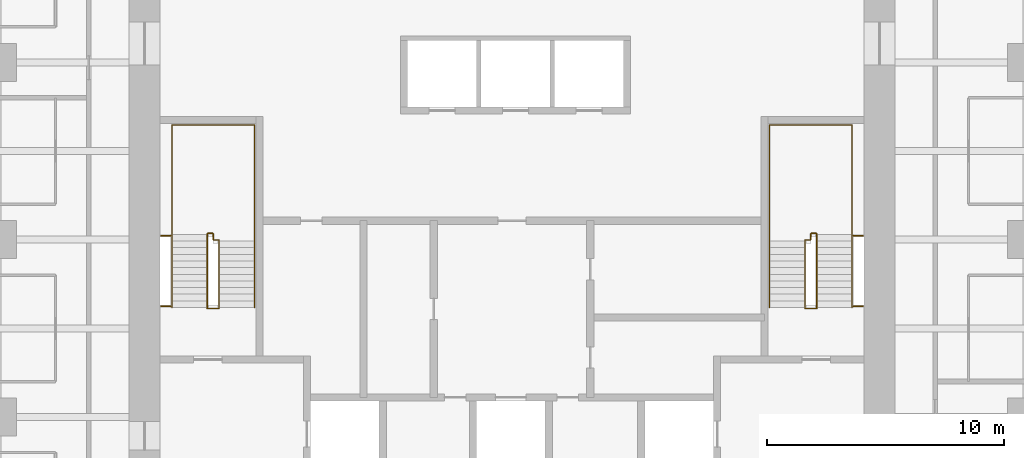
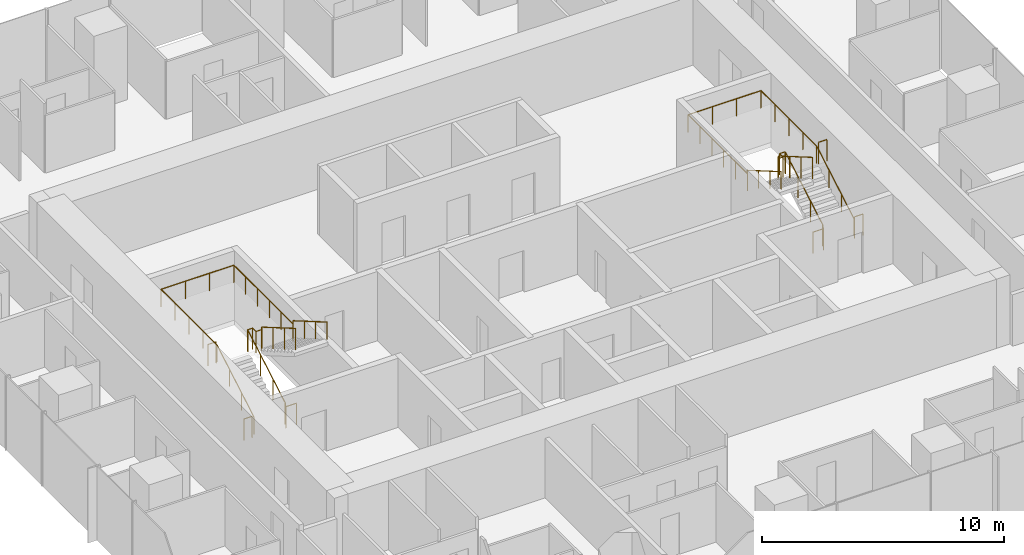
# One storey, part 12 of 12: 8 railings.
"""IFC4 building model written with IfcOpenShell, lengths in metres."""

from ifc_helpers import new_model, si_unit, direction, frame, origin, origin_2d, place, context, subcontext, project, spatial, circle, extrude, material, type_object, element, save


model = new_model("IFC4")

# Units and contexts
model_context = context("Model", 3, precision=1e-05, world=origin(), true_north=direction((0.0, 1.0)))
body_context = subcontext(model_context, "Body", "Model", "MODEL_VIEW")
ifc_project = project(units=[si_unit("LENGTHUNIT", "METRE"), si_unit("AREAUNIT", "SQUARE_METRE"), si_unit("VOLUMEUNIT", "CUBIC_METRE"), si_unit("PLANEANGLEUNIT", "RADIAN"), si_unit("MASSUNIT", "GRAM", prefix="KILO")], contexts=[model_context])

# Site, building, storey
site_placement = place(None, origin())
site = spatial("IfcSite", under=ifc_project, at=site_placement, CompositionType="ELEMENT")
building_placement = place(site_placement, origin())
building = spatial("IfcBuilding", under=site, at=building_placement, Name="Khuree Lantern Residences", CompositionType="ELEMENT")
storey_placement = place(building_placement, frame((0.0, 0.0, 304.5)))
storey = spatial("IfcBuildingStorey", under=building, at=storey_placement, Name="L76", CompositionType="ELEMENT", Elevation=304.5)

# Railings
ifc_material = material(Name="Steel S355", Category="steel")
railing_type_1 = type_object("IfcRailingType", Name="STAIR GUARD G1 1100", PredefinedType="GUARDRAIL", material=ifc_material)
railing_1_placement = place(storey_placement, frame((-12.35009765625, -2.909912109375, 0.0)))
element("IfcRailing", 1, at=railing_1_placement, inside=storey, type_object=railing_type_1, Name="Stair ST1 guard", PredefinedType="GUARDRAIL", context=body_context, shape_type="SweptSolid", body=[
    extrude(circle(Radius=0.02392578125, at=origin_2d()), frame((0.0, 0.0, 1.076171875), z_axis=(-1.0, 0.0, 0.0), x_axis=(0.0, -1.0, 0.0)), (0.0, 0.0, 1.0), 0.5),
    extrude(circle(Radius=0.02392578125, at=origin_2d()), frame((-0.5, 0.0, 1.076171875), z_axis=(0.0, 0.292073035251, 0.95639601739), x_axis=(-1.0, 0.0, 0.0)), (0.0, 0.0, 1.0), 0.17041015625),
    extrude(circle(Radius=0.02392578125, at=origin_2d()), frame((-0.5, 0.0498046875, 1.2392578125), z_axis=(0.0, 0.864176135923, 0.503189433615), x_axis=(-1.0, 0.0, 0.0)), (0.0, 0.0, 1.0), 3.564208984375),
    extrude(circle(Radius=0.02392578125, at=origin_2d()), frame((-0.5, 3.1298828125, 3.03271484375), z_axis=(0.0, 1.0, 0.0), x_axis=(-1.0, 0.0, 0.0)), (0.0, 0.0, 1.0), 0.050048828125),
    extrude(circle(Radius=0.02392578125, at=origin_2d()), frame((-0.5, 3.179931640625, 3.03271484375), z_axis=(1.0, 0.0, 0.0), x_axis=(0.0, 1.0, 0.0)), (0.0, 0.0, 1.0), 0.25),
    extrude(circle(Radius=0.02392578125, at=origin_2d()), frame((-0.25, 3.179931640625, 3.03271484375), z_axis=(0.0, -1.0, 0.0), x_axis=(1.0, 0.0, 0.0)), (0.0, 0.0, 1.0), 0.280029296875),
    extrude(circle(Radius=0.02392578125, at=origin_2d()), frame((-0.25, 2.89990234375, 3.03271484375), z_axis=(1.0, 0.0, 0.0), x_axis=(0.0, 1.0, 0.0)), (0.0, 0.0, 1.0), 0.25),
    extrude(circle(Radius=0.02392578125, at=origin_2d()), frame((0.0, 2.89990234375, 3.03271484375), z_axis=(0.0, -0.293381807449, 0.955995353053), x_axis=(1.0, 0.0, 0.0)), (0.0, 0.0, 1.0), 0.170654296875),
    extrude(circle(Radius=0.02392578125, at=origin_2d()), frame((0.0, 2.849853515625, 3.19580078125), z_axis=(0.0, -0.864180358799, 0.503182181189), x_axis=(1.0, 0.0, 0.0)), (0.0, 0.0, 1.0), 3.240234375),
    extrude(circle(Radius=0.02099609375, at=origin_2d()), origin(), (0.0, 0.0, 1.0), 1.052001953125),
    extrude(circle(Radius=0.02099609375, at=origin_2d()), frame((-0.5, 0.0, 0.0)), (0.0, 0.0, 1.0), 1.052001953125),
    extrude(circle(Radius=0.02099609375, at=origin_2d()), frame((-0.5, 0.0498046875, 0.1630859375)), (0.0, 0.0, 1.0), 1.052001953125),
    extrude(circle(Radius=0.02099609375, at=origin_2d()), frame((-0.5, 1.076416015625, 0.760986328125)), (0.0, 0.0, 1.0), 1.052001953125),
    extrude(circle(Radius=0.02099609375, at=origin_2d()), frame((-0.5, 2.103271484375, 1.358642578125)), (0.0, 0.0, 1.0), 1.052001953125),
    extrude(circle(Radius=0.02099609375, at=origin_2d()), frame((-0.5, 3.1298828125, 1.95654296875)), (0.0, 0.0, 1.0), 1.052001953125),
    extrude(circle(Radius=0.02099609375, at=origin_2d()), frame((-0.5, 3.179931640625, 1.95654296875)), (0.0, 0.0, 1.0), 1.052001953125),
    extrude(circle(Radius=0.02099609375, at=origin_2d()), frame((-0.25, 3.179931640625, 1.95654296875)), (0.0, 0.0, 1.0), 1.052001953125),
    extrude(circle(Radius=0.02099609375, at=origin_2d()), frame((-0.25, 2.89990234375, 1.95654296875)), (0.0, 0.0, 1.0), 1.052001953125),
    extrude(circle(Radius=0.02099609375, at=origin_2d()), frame((0.0, 2.89990234375, 1.95654296875)), (0.0, 0.0, 1.0), 1.052001953125),
    extrude(circle(Radius=0.02099609375, at=origin_2d()), frame((0.0, 2.849853515625, 2.11962890625)), (0.0, 0.0, 1.0), 1.052001953125),
    extrude(circle(Radius=0.02099609375, at=origin_2d()), frame((0.0, 1.91650390625, 2.6630859375)), (0.0, 0.0, 1.0), 1.052001953125),
    extrude(circle(Radius=0.02099609375, at=origin_2d()), frame((0.0, 0.983154296875, 3.20654296875)), (0.0, 0.0, 1.0), 1.052001953125),
    extrude(circle(Radius=0.02099609375, at=origin_2d()), frame((0.0, 0.0498046875, 3.75)), (0.0, 0.0, 1.0), 1.052001953125),
])
for number, where, name in (
    (2, (-14.800048828125, -2.81005859375, 0.0), "Stair ST1 landing slot guard"),
    (3, (-14.800048828125, 0.169921875, 1.95654296875), "Stair ST1 landing slot guard"),
):
    element("IfcRailing", number, at=place(storey_placement, frame(where)), inside=storey, type_object=railing_type_1, Name=name, PredefinedType="GUARDRAIL", context=body_context, shape_type="SweptSolid", body=[
        extrude(circle(Radius=0.02392578125, at=origin_2d()), frame((0.0, 0.0, 1.076171875), z_axis=(1.0, 0.0, 0.0), x_axis=(0.0, 1.0, 0.0)), (0.0, 0.0, 1.0), 0.400146484375),
        extrude(circle(Radius=0.02099609375, at=origin_2d()), origin(), (0.0, 0.0, 1.0), 1.052001953125),
        extrude(circle(Radius=0.02099609375, at=origin_2d()), frame((0.400146484375, 0.0, 0.0)), (0.0, 0.0, 1.0), 1.052001953125),
    ])
railing_2_placement = place(storey_placement, frame((12.35009765625, -2.909912109375, 0.0)))
element("IfcRailing", 4, at=railing_2_placement, inside=storey, type_object=railing_type_1, Name="Stair ST2 guard", PredefinedType="GUARDRAIL", context=body_context, shape_type="SweptSolid", body=[
    extrude(circle(Radius=0.02392578125, at=origin_2d()), frame((0.0, 0.0, 1.076171875), z_axis=(1.0, 0.0, 0.0), x_axis=(0.0, 1.0, 0.0)), (0.0, 0.0, 1.0), 0.5),
    extrude(circle(Radius=0.02392578125, at=origin_2d()), frame((0.5, 0.0, 1.076171875), z_axis=(0.0, 0.292073035251, 0.95639601739), x_axis=(-1.0, 0.0, 0.0)), (0.0, 0.0, 1.0), 0.17041015625),
    extrude(circle(Radius=0.02392578125, at=origin_2d()), frame((0.5, 0.0498046875, 1.2392578125), z_axis=(0.0, 0.864176135923, 0.503189433615), x_axis=(-1.0, 0.0, 0.0)), (0.0, 0.0, 1.0), 3.564208984375),
    extrude(circle(Radius=0.02392578125, at=origin_2d()), frame((0.5, 3.1298828125, 3.03271484375), z_axis=(0.0, 1.0, 0.0), x_axis=(-1.0, 0.0, 0.0)), (0.0, 0.0, 1.0), 0.050048828125),
    extrude(circle(Radius=0.02392578125, at=origin_2d()), frame((0.5, 3.179931640625, 3.03271484375), z_axis=(-1.0, 0.0, 0.0), x_axis=(0.0, -1.0, 0.0)), (0.0, 0.0, 1.0), 0.25),
    extrude(circle(Radius=0.02392578125, at=origin_2d()), frame((0.25, 3.179931640625, 3.03271484375), z_axis=(0.0, -1.0, 0.0), x_axis=(1.0, 0.0, 0.0)), (0.0, 0.0, 1.0), 0.280029296875),
    extrude(circle(Radius=0.02392578125, at=origin_2d()), frame((0.25, 2.89990234375, 3.03271484375), z_axis=(-1.0, 0.0, 0.0), x_axis=(0.0, -1.0, 0.0)), (0.0, 0.0, 1.0), 0.25),
    extrude(circle(Radius=0.02392578125, at=origin_2d()), frame((0.0, 2.89990234375, 3.03271484375), z_axis=(0.0, -0.293381807449, 0.955995353053), x_axis=(1.0, 0.0, 0.0)), (0.0, 0.0, 1.0), 0.170654296875),
    extrude(circle(Radius=0.02392578125, at=origin_2d()), frame((0.0, 2.849853515625, 3.19580078125), z_axis=(0.0, -0.864180358799, 0.503182181189), x_axis=(1.0, 0.0, 0.0)), (0.0, 0.0, 1.0), 3.240234375),
    extrude(circle(Radius=0.02099609375, at=origin_2d()), origin(), (0.0, 0.0, 1.0), 1.052001953125),
    extrude(circle(Radius=0.02099609375, at=origin_2d()), frame((0.5, 0.0, 0.0)), (0.0, 0.0, 1.0), 1.052001953125),
    extrude(circle(Radius=0.02099609375, at=origin_2d()), frame((0.5, 0.0498046875, 0.1630859375)), (0.0, 0.0, 1.0), 1.052001953125),
    extrude(circle(Radius=0.02099609375, at=origin_2d()), frame((0.5, 1.076416015625, 0.760986328125)), (0.0, 0.0, 1.0), 1.052001953125),
    extrude(circle(Radius=0.02099609375, at=origin_2d()), frame((0.5, 2.103271484375, 1.358642578125)), (0.0, 0.0, 1.0), 1.052001953125),
    extrude(circle(Radius=0.02099609375, at=origin_2d()), frame((0.5, 3.1298828125, 1.95654296875)), (0.0, 0.0, 1.0), 1.052001953125),
    extrude(circle(Radius=0.02099609375, at=origin_2d()), frame((0.5, 3.179931640625, 1.95654296875)), (0.0, 0.0, 1.0), 1.052001953125),
    extrude(circle(Radius=0.02099609375, at=origin_2d()), frame((0.25, 3.179931640625, 1.95654296875)), (0.0, 0.0, 1.0), 1.052001953125),
    extrude(circle(Radius=0.02099609375, at=origin_2d()), frame((0.25, 2.89990234375, 1.95654296875)), (0.0, 0.0, 1.0), 1.052001953125),
    extrude(circle(Radius=0.02099609375, at=origin_2d()), frame((0.0, 2.89990234375, 1.95654296875)), (0.0, 0.0, 1.0), 1.052001953125),
    extrude(circle(Radius=0.02099609375, at=origin_2d()), frame((0.0, 2.849853515625, 2.11962890625)), (0.0, 0.0, 1.0), 1.052001953125),
    extrude(circle(Radius=0.02099609375, at=origin_2d()), frame((0.0, 1.91650390625, 2.6630859375)), (0.0, 0.0, 1.0), 1.052001953125),
    extrude(circle(Radius=0.02099609375, at=origin_2d()), frame((0.0, 0.983154296875, 3.20654296875)), (0.0, 0.0, 1.0), 1.052001953125),
    extrude(circle(Radius=0.02099609375, at=origin_2d()), frame((0.0, 0.0498046875, 3.75)), (0.0, 0.0, 1.0), 1.052001953125),
])
for number, where, name in (
    (5, (14.800048828125, -2.81005859375, 0.0), "Stair ST2 landing slot guard"),
    (6, (14.800048828125, 0.169921875, 1.95654296875), "Stair ST2 landing slot guard"),
):
    element("IfcRailing", number, at=place(storey_placement, frame(where)), inside=storey, type_object=railing_type_1, Name=name, PredefinedType="GUARDRAIL", context=body_context, shape_type="SweptSolid", body=[
        extrude(circle(Radius=0.02392578125, at=origin_2d()), frame((0.0, 0.0, 1.076171875), z_axis=(-1.0, 0.0, 0.0), x_axis=(0.0, -1.0, 0.0)), (0.0, 0.0, 1.0), 0.400146484375),
        extrude(circle(Radius=0.02099609375, at=origin_2d()), origin(), (0.0, 0.0, 1.0), 1.052001953125),
        extrude(circle(Radius=0.02099609375, at=origin_2d()), frame((-0.400146484375, 0.0, 0.0)), (0.0, 0.0, 1.0), 1.052001953125),
    ])
railing_type_2 = type_object("IfcRailingType", Name="STAIR HANDRAIL H1 900", PredefinedType="HANDRAIL", material=ifc_material)
railing_3_placement = place(storey_placement, frame((-14.340087890625, -2.860107421875, 0.1630859375)))
element("IfcRailing", 7, at=railing_3_placement, inside=storey, type_object=railing_type_2, Name="Stair ST1 handrail", PredefinedType="HANDRAIL", context=body_context, shape_type="SweptSolid", body=[
    extrude(circle(Radius=0.02392578125, at=origin_2d()), frame((0.0, 0.0, 0.8759765625), z_axis=(0.0, 0.864176135923, 0.503189433615), x_axis=(-1.0, 0.0, 0.0)), (0.0, 0.0, 1.0), 3.564208984375),
    extrude(circle(Radius=0.02392578125, at=origin_2d()), frame((0.0, 3.080078125, 2.66943359375), z_axis=(0.0, 1.0, 0.0), x_axis=(-1.0, 0.0, 0.0)), (0.0, 0.0, 1.0), 4.6201171875),
    extrude(circle(Radius=0.02392578125, at=origin_2d()), frame((0.0, 7.7001953125, 2.66943359375), z_axis=(1.0, 0.0, 0.0), x_axis=(0.0, 1.0, 0.0)), (0.0, 0.0, 1.0), 3.47998046875),
    extrude(circle(Radius=0.02392578125, at=origin_2d()), frame((3.47998046875, 7.7001953125, 2.66943359375), z_axis=(0.0, -1.0, 0.0), x_axis=(1.0, 0.0, 0.0)), (0.0, 0.0, 1.0), 4.900146484375),
    extrude(circle(Radius=0.02392578125, at=origin_2d()), frame((3.47998046875, 2.800048828125, 2.66943359375), z_axis=(0.0, 0.0, 1.0), x_axis=(1.0, 0.0, 0.0)), (0.0, 0.0, 1.0), 0.1630859375),
    extrude(circle(Radius=0.02392578125, at=origin_2d()), frame((3.47998046875, 2.800048828125, 2.83251953125), z_axis=(0.0, -0.864180358799, 0.503182181189), x_axis=(1.0, 0.0, 0.0)), (0.0, 0.0, 1.0), 3.240234375),
    extrude(circle(Radius=0.02099609375, at=origin_2d()), origin(), (0.0, 0.0, 1.0), 0.851806640625),
    extrude(circle(Radius=0.02099609375, at=origin_2d()), frame((0.0, 1.026611328125, 0.597900390625)), (0.0, 0.0, 1.0), 0.851806640625),
    extrude(circle(Radius=0.02099609375, at=origin_2d()), frame((0.0, 2.053466796875, 1.195556640625)), (0.0, 0.0, 1.0), 0.851806640625),
    extrude(circle(Radius=0.02099609375, at=origin_2d()), frame((0.0, 3.080078125, 1.79345703125)), (0.0, 0.0, 1.0), 0.851806640625),
    extrude(circle(Radius=0.02099609375, at=origin_2d()), frame((0.0, 4.235107421875, 1.79345703125)), (0.0, 0.0, 1.0), 0.851806640625),
    extrude(circle(Radius=0.02099609375, at=origin_2d()), frame((0.0, 5.39013671875, 1.79345703125)), (0.0, 0.0, 1.0), 0.851806640625),
    extrude(circle(Radius=0.02099609375, at=origin_2d()), frame((0.0, 6.545166015625, 1.79345703125)), (0.0, 0.0, 1.0), 0.851806640625),
    extrude(circle(Radius=0.02099609375, at=origin_2d()), frame((0.0, 7.7001953125, 1.79345703125)), (0.0, 0.0, 1.0), 0.851806640625),
    extrude(circle(Radius=0.02099609375, at=origin_2d()), frame((1.159912109375, 7.7001953125, 1.79345703125)), (0.0, 0.0, 1.0), 0.851806640625),
    extrude(circle(Radius=0.02099609375, at=origin_2d()), frame((2.320068359375, 7.7001953125, 1.79345703125)), (0.0, 0.0, 1.0), 0.851806640625),
    extrude(circle(Radius=0.02099609375, at=origin_2d()), frame((3.47998046875, 7.7001953125, 1.79345703125)), (0.0, 0.0, 1.0), 0.851806640625),
    extrude(circle(Radius=0.02099609375, at=origin_2d()), frame((3.47998046875, 6.72021484375, 1.79345703125)), (0.0, 0.0, 1.0), 0.851806640625),
    extrude(circle(Radius=0.02099609375, at=origin_2d()), frame((3.47998046875, 5.740234375, 1.79345703125)), (0.0, 0.0, 1.0), 0.851806640625),
    extrude(circle(Radius=0.02099609375, at=origin_2d()), frame((3.47998046875, 4.760009765625, 1.79345703125)), (0.0, 0.0, 1.0), 0.851806640625),
    extrude(circle(Radius=0.02099609375, at=origin_2d()), frame((3.47998046875, 3.780029296875, 1.79345703125)), (0.0, 0.0, 1.0), 0.851806640625),
    extrude(circle(Radius=0.02099609375, at=origin_2d()), frame((3.47998046875, 2.800048828125, 1.79345703125)), (0.0, 0.0, 1.0), 0.851806640625),
    extrude(circle(Radius=0.02099609375, at=origin_2d()), frame((3.47998046875, 2.800048828125, 1.95654296875)), (0.0, 0.0, 1.0), 0.851806640625),
    extrude(circle(Radius=0.02099609375, at=origin_2d()), frame((3.47998046875, 1.86669921875, 2.5)), (0.0, 0.0, 1.0), 0.851806640625),
    extrude(circle(Radius=0.02099609375, at=origin_2d()), frame((3.47998046875, 0.933349609375, 3.04345703125)), (0.0, 0.0, 1.0), 0.851806640625),
    extrude(circle(Radius=0.02099609375, at=origin_2d()), frame((3.47998046875, 0.0, 3.5869140625)), (0.0, 0.0, 1.0), 0.851806640625),
])
railing_4_placement = place(storey_placement, frame((14.340087890625, -2.860107421875, 0.1630859375)))
element("IfcRailing", 8, at=railing_4_placement, inside=storey, type_object=railing_type_2, Name="Stair ST2 handrail", PredefinedType="HANDRAIL", context=body_context, shape_type="SweptSolid", body=[
    extrude(circle(Radius=0.02392578125, at=origin_2d()), frame((0.0, 0.0, 0.8759765625), z_axis=(0.0, 0.864176135923, 0.503189433615), x_axis=(-1.0, 0.0, 0.0)), (0.0, 0.0, 1.0), 3.564208984375),
    extrude(circle(Radius=0.02392578125, at=origin_2d()), frame((0.0, 3.080078125, 2.66943359375), z_axis=(0.0, 1.0, 0.0), x_axis=(-1.0, 0.0, 0.0)), (0.0, 0.0, 1.0), 4.6201171875),
    extrude(circle(Radius=0.02392578125, at=origin_2d()), frame((0.0, 7.7001953125, 2.66943359375), z_axis=(-1.0, 0.0, 0.0), x_axis=(0.0, -1.0, 0.0)), (0.0, 0.0, 1.0), 3.47998046875),
    extrude(circle(Radius=0.02392578125, at=origin_2d()), frame((-3.47998046875, 7.7001953125, 2.66943359375), z_axis=(0.0, -1.0, 0.0), x_axis=(1.0, 0.0, 0.0)), (0.0, 0.0, 1.0), 4.900146484375),
    extrude(circle(Radius=0.02392578125, at=origin_2d()), frame((-3.47998046875, 2.800048828125, 2.66943359375), z_axis=(0.0, 0.0, 1.0), x_axis=(1.0, 0.0, 0.0)), (0.0, 0.0, 1.0), 0.1630859375),
    extrude(circle(Radius=0.02392578125, at=origin_2d()), frame((-3.47998046875, 2.800048828125, 2.83251953125), z_axis=(0.0, -0.864180358799, 0.503182181189), x_axis=(1.0, 0.0, 0.0)), (0.0, 0.0, 1.0), 3.240234375),
    extrude(circle(Radius=0.02099609375, at=origin_2d()), origin(), (0.0, 0.0, 1.0), 0.851806640625),
    extrude(circle(Radius=0.02099609375, at=origin_2d()), frame((0.0, 1.026611328125, 0.597900390625)), (0.0, 0.0, 1.0), 0.851806640625),
    extrude(circle(Radius=0.02099609375, at=origin_2d()), frame((0.0, 2.053466796875, 1.195556640625)), (0.0, 0.0, 1.0), 0.851806640625),
    extrude(circle(Radius=0.02099609375, at=origin_2d()), frame((0.0, 3.080078125, 1.79345703125)), (0.0, 0.0, 1.0), 0.851806640625),
    extrude(circle(Radius=0.02099609375, at=origin_2d()), frame((0.0, 4.235107421875, 1.79345703125)), (0.0, 0.0, 1.0), 0.851806640625),
    extrude(circle(Radius=0.02099609375, at=origin_2d()), frame((0.0, 5.39013671875, 1.79345703125)), (0.0, 0.0, 1.0), 0.851806640625),
    extrude(circle(Radius=0.02099609375, at=origin_2d()), frame((0.0, 6.545166015625, 1.79345703125)), (0.0, 0.0, 1.0), 0.851806640625),
    extrude(circle(Radius=0.02099609375, at=origin_2d()), frame((0.0, 7.7001953125, 1.79345703125)), (0.0, 0.0, 1.0), 0.851806640625),
    extrude(circle(Radius=0.02099609375, at=origin_2d()), frame((-1.159912109375, 7.7001953125, 1.79345703125)), (0.0, 0.0, 1.0), 0.851806640625),
    extrude(circle(Radius=0.02099609375, at=origin_2d()), frame((-2.320068359375, 7.7001953125, 1.79345703125)), (0.0, 0.0, 1.0), 0.851806640625),
    extrude(circle(Radius=0.02099609375, at=origin_2d()), frame((-3.47998046875, 7.7001953125, 1.79345703125)), (0.0, 0.0, 1.0), 0.851806640625),
    extrude(circle(Radius=0.02099609375, at=origin_2d()), frame((-3.47998046875, 6.72021484375, 1.79345703125)), (0.0, 0.0, 1.0), 0.851806640625),
    extrude(circle(Radius=0.02099609375, at=origin_2d()), frame((-3.47998046875, 5.740234375, 1.79345703125)), (0.0, 0.0, 1.0), 0.851806640625),
    extrude(circle(Radius=0.02099609375, at=origin_2d()), frame((-3.47998046875, 4.760009765625, 1.79345703125)), (0.0, 0.0, 1.0), 0.851806640625),
    extrude(circle(Radius=0.02099609375, at=origin_2d()), frame((-3.47998046875, 3.780029296875, 1.79345703125)), (0.0, 0.0, 1.0), 0.851806640625),
    extrude(circle(Radius=0.02099609375, at=origin_2d()), frame((-3.47998046875, 2.800048828125, 1.79345703125)), (0.0, 0.0, 1.0), 0.851806640625),
    extrude(circle(Radius=0.02099609375, at=origin_2d()), frame((-3.47998046875, 2.800048828125, 1.95654296875)), (0.0, 0.0, 1.0), 0.851806640625),
    extrude(circle(Radius=0.02099609375, at=origin_2d()), frame((-3.47998046875, 1.86669921875, 2.5)), (0.0, 0.0, 1.0), 0.851806640625),
    extrude(circle(Radius=0.02099609375, at=origin_2d()), frame((-3.47998046875, 0.933349609375, 3.04345703125)), (0.0, 0.0, 1.0), 0.851806640625),
    extrude(circle(Radius=0.02099609375, at=origin_2d()), frame((-3.47998046875, 0.0, 3.5869140625)), (0.0, 0.0, 1.0), 0.851806640625),
])

save(model, "model.ifc")
